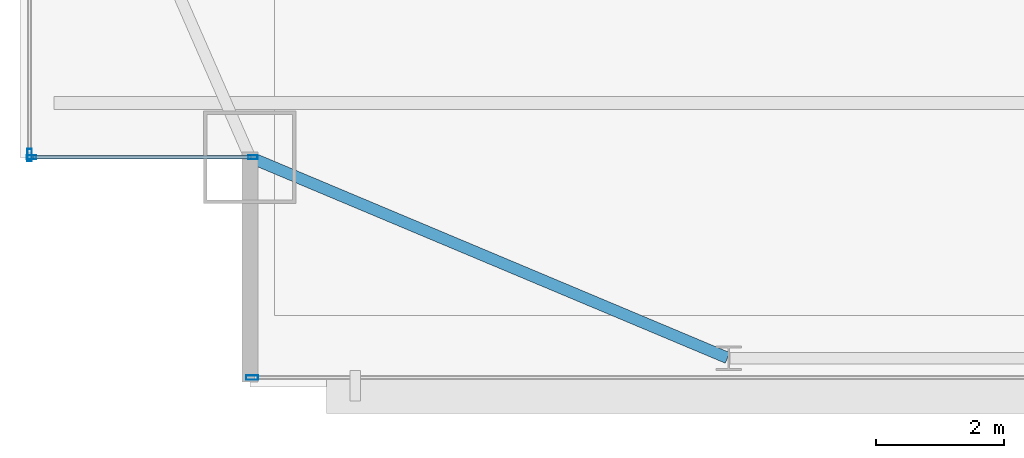
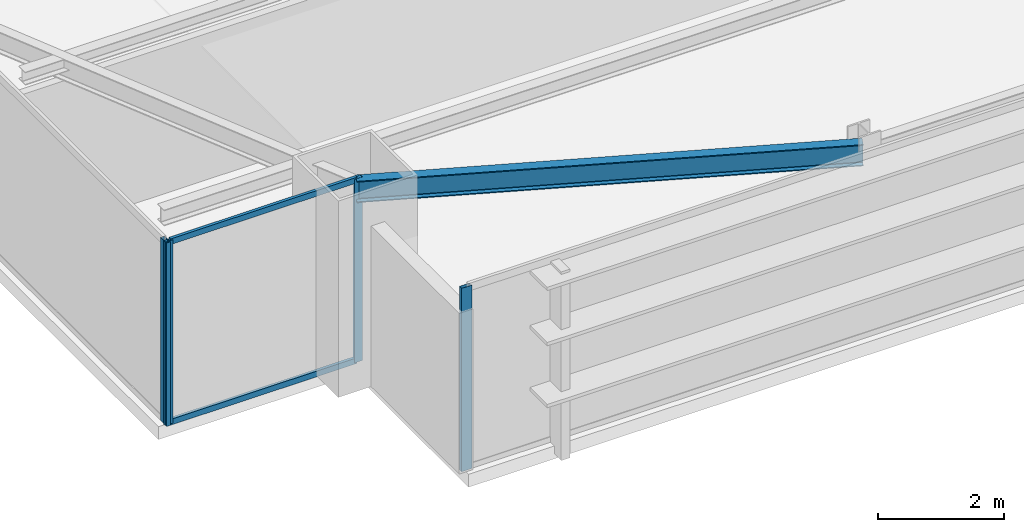
# One storey, part 4 of 30: 6 members, 1 beam, 3 elements without a shape of their own.
"""IFC4 building model written with IfcOpenShell, lengths in metres."""

import ifcopenshell
import ifcopenshell.guid

model = None  # the IFC model being written
_history = None  # IfcOwnerHistory: only IFC2X3 demands one
_inside = {}  # id of a spatial element -> (the spatial element, [elements in it])
_under = {}  # id of a project, library or spatial element -> (it, [spatial elements below it])
_declared = {}  # id of a project -> (the project, [libraries it declares])
_typed = {}  # id of a type object -> (the type object, [elements of that type])
_made_of = {}  # id of a material, layer set ... -> (it, [elements and type objects made of it])


def new_model(schema):
    """Start an empty IFC model of exactly this schema.

    Asked for "IFC4X3", IfcOpenShell would pick the latest addendum, in which some entities
    have other attributes; the version numbers below select the first issue.
    IFC2X3 requires an IfcOwnerHistory on every rooted entity: one is made here for all.
    """
    global model, _history
    if schema == "IFC4X3":
        model = ifcopenshell.file(schema_version=(4, 3, 0, 0))
    else:
        model = ifcopenshell.file(schema=schema)
    _inside.clear()
    _under.clear()
    _declared.clear()
    _typed.clear()
    _made_of.clear()
    _history = None
    if model.schema == "IFC2X3":
        org = make("IfcOrganization", Name="unknown")
        user = make(
            "IfcPersonAndOrganization",
            ThePerson=make("IfcPerson", FamilyName="unknown"),
            TheOrganization=org,
        )
        app = make(
            "IfcApplication",
            ApplicationDeveloper=org,
            Version="unknown",
            ApplicationFullName="unknown",
            ApplicationIdentifier="unknown",
        )
        _history = make(
            "IfcOwnerHistory",
            OwningUser=user,
            OwningApplication=app,
            ChangeAction="ADDED",
            CreationDate=0,
        )
    return model


def make(cls, **values):
    """One entity of the class cls with the attributes given. An attribute that is None is left unset."""
    return model.create_entity(
        cls, **{name: value for name, value in values.items() if value is not None}
    )


def rooted(cls, **values):
    """An entity with a GlobalId (a new one), such as an element, a storey or a relation."""
    return make(cls, GlobalId=ifcopenshell.guid.new(), OwnerHistory=_history, **values)


def si_unit(unit_type, name, prefix=None):
    """IfcSIUnit, for example si_unit("LENGTHUNIT", "METRE", prefix="MILLI")."""
    return make("IfcSIUnit", UnitType=unit_type, Prefix=prefix, Name=name)


def assignment(units):
    """IfcUnitAssignment: the units of a project."""
    return None if units is None else make("IfcUnitAssignment", Units=units)


def point(xyz):
    """IfcCartesianPoint."""
    return None if xyz is None else make("IfcCartesianPoint", Coordinates=xyz)


def direction(xyz):
    """IfcDirection."""
    return None if xyz is None else make("IfcDirection", DirectionRatios=xyz)


def frame(location, z_axis=None, x_axis=None):
    """IfcAxis2Placement3D, a coordinate frame: its origin and axes. An axis left out is left unset."""
    return make(
        "IfcAxis2Placement3D",
        Location=point(location),
        Axis=direction(z_axis),
        RefDirection=direction(x_axis),
    )


def frame_2d(location, x_axis=None):
    """IfcAxis2Placement2D, a coordinate frame in the plane: its origin and x axis."""
    return make(
        "IfcAxis2Placement2D", Location=point(location), RefDirection=direction(x_axis)
    )


def origin():
    """The frame at (0, 0, 0) with its axes left unset."""
    return frame((0.0, 0.0, 0.0))


def origin_2d():
    """The frame at (0, 0) in the plane with its x axis left unset."""
    return frame_2d((0.0, 0.0))


def place(relative_to, where):
    """IfcLocalPlacement: puts the frame where relative to a parent placement (None: the world)."""
    return make(
        "IfcLocalPlacement", PlacementRelTo=relative_to, RelativePlacement=where
    )


def context(
    kind, dimensions, precision=None, world=None, true_north=None, identifier=None
):
    """IfcGeometricRepresentationContext, for example the 3D "Model" context."""
    return make(
        "IfcGeometricRepresentationContext",
        ContextIdentifier=identifier,
        ContextType=kind,
        CoordinateSpaceDimension=dimensions,
        Precision=precision,
        WorldCoordinateSystem=world,
        TrueNorth=true_north,
    )


def subcontext(parent, identifier, kind, view, scale=None):
    """IfcGeometricRepresentationSubContext, for example "Body" below "Model"."""
    return make(
        "IfcGeometricRepresentationSubContext",
        ContextIdentifier=identifier,
        ContextType=kind,
        ParentContext=parent,
        TargetScale=scale,
        TargetView=view,
    )


def project(units=None, contexts=None):
    """IfcProject with its units and contexts."""
    return rooted(
        "IfcProject",
        Name="project",
        RepresentationContexts=contexts,
        UnitsInContext=assignment(units),
    )


def spatial(cls, under=None, at=None, **own):
    """A site, building, storey or space (cls), placed at a placement, below another one or the project."""
    s = rooted(cls, ObjectPlacement=at, **own)
    if under is not None:
        _under.setdefault(under.id(), (under, []))[1].append(s)
    return s


def profile(cls, at=None, kind="AREA", **sizes):
    """A parametric profile (cls). Its sizes go by their IFC names, for example OverallWidth=200.0."""
    return make(cls, ProfileType=kind, Position=at, **sizes)


def hollow_rectangle(**sizes):
    """IfcRectangleHollowProfileDef."""
    return profile("IfcRectangleHollowProfileDef", **sizes)


def i_section(**sizes):
    """IfcIShapeProfileDef."""
    return profile("IfcIShapeProfileDef", **sizes)


def extrude(swept, where, along, depth):
    """IfcExtrudedAreaSolid: the profile swept, set in the frame where, extruded along a direction by depth."""
    return make(
        "IfcExtrudedAreaSolid",
        SweptArea=swept,
        Position=where,
        ExtrudedDirection=direction(along),
        Depth=depth,
    )


def shape(context_of_items, identifier, shape_type, items):
    """IfcShapeRepresentation: the items that make up one representation, for example the "Body"."""
    return make(
        "IfcShapeRepresentation",
        ContextOfItems=context_of_items,
        RepresentationIdentifier=identifier,
        RepresentationType=shape_type,
        Items=items,
    )


def source(mapping_origin, context_of_items, identifier, shape_type, items):
    """IfcRepresentationMap: a shape defined once, which mapped items show again and again."""
    return make(
        "IfcRepresentationMap",
        MappingOrigin=mapping_origin,
        MappedRepresentation=shape(context_of_items, identifier, shape_type, items),
    )


def transform(
    local_origin,
    x_axis=None,
    y_axis=None,
    z_axis=None,
    scale=None,
    scale2=None,
    scale3=None,
    uniform=True,
):
    """IfcCartesianTransformationOperator3D, or its non-uniform kind. x_axis, y_axis, z_axis: its Axis1, 2, 3."""
    if uniform:
        return make(
            "IfcCartesianTransformationOperator3D",
            Axis1=direction(x_axis),
            Axis2=direction(y_axis),
            LocalOrigin=point(local_origin),
            Scale=scale,
            Axis3=direction(z_axis),
        )
    return make(
        "IfcCartesianTransformationOperator3DnonUniform",
        Axis1=direction(x_axis),
        Axis2=direction(y_axis),
        LocalOrigin=point(local_origin),
        Scale=scale,
        Axis3=direction(z_axis),
        Scale2=scale2,
        Scale3=scale3,
    )


def mapped(mapping_source, mapping_target):
    """IfcMappedItem: shows the shape of a source again, moved by a transform."""
    return make(
        "IfcMappedItem", MappingSource=mapping_source, MappingTarget=mapping_target
    )


def material(Name=None, Category=None):
    """IfcMaterial."""
    return make("IfcMaterial", Name=Name, Category=Category)


def layer(
    of_material, thickness, ventilated=None, Name=None, Category=None, Priority=None
):
    """IfcMaterialLayer: one layer of a wall or slab, of a material (None: an air gap)."""
    return make(
        "IfcMaterialLayer",
        Material=of_material,
        LayerThickness=thickness,
        IsVentilated=ventilated,
        Name=Name,
        Category=Category,
        Priority=Priority,
    )


def layer_set(layers, Name=None):
    """IfcMaterialLayerSet."""
    return make("IfcMaterialLayerSet", MaterialLayers=layers, LayerSetName=Name)


def material_profile(
    of_material, cross_section, Name=None, Category=None, Priority=None
):
    """IfcMaterialProfile: a cross section and its material."""
    return make(
        "IfcMaterialProfile",
        Name=Name,
        Material=of_material,
        Profile=cross_section,
        Priority=Priority,
        Category=Category,
    )


def profile_set(profiles, Name=None, composite=None):
    """IfcMaterialProfileSet."""
    return make(
        "IfcMaterialProfileSet",
        Name=Name,
        MaterialProfiles=profiles,
        CompositeProfile=composite,
    )


def made_of(thing, what):
    """Note that an element or type object is made of a material, layer set ...; save() writes the relation."""
    if what is not None:
        _made_of.setdefault(what.id(), (what, []))[1].append(thing)
    return thing


def type_object(cls, material=None, **own):
    """A type object (cls), such as IfcWallType, which elements share."""
    return made_of(rooted(cls, **own), material)


def type_shapes(of_type, sources):
    """Give a type object the sources (RepresentationMaps) that its elements show as mapped items."""
    of_type.RepresentationMaps = sources


def element(
    cls,
    number,
    at=None,
    inside=None,
    cuts=None,
    type_object=None,
    material=None,
    context=None,
    identifier="Body",
    shape_type=None,
    held_by="IfcProductDefinitionShape",
    body=None,
    shapes=None,
    **own,
):
    """One element of the class cls, such as IfcWall. Its Tag is "e" and its number.

    at: its placement. inside: the storey or other place that contains it. cuts: it is an
    opening in that element (IfcRelVoidsElement). A single representation is given by context,
    identifier, shape_type and body (its items); several are given by shapes. held_by: the class
    of the entity that holds the representations. save() writes the other relations.
    """
    e = rooted(cls, Tag="e%d" % number, ObjectPlacement=at, **own)
    if body is not None:
        shapes = [shape(context, identifier, shape_type, body)]
    if shapes is not None:
        e.Representation = make(held_by, Representations=shapes)
    if inside is not None:
        _inside.setdefault(inside.id(), (inside, []))[1].append(e)
    if cuts is not None:
        rooted(
            "IfcRelVoidsElement", RelatingBuildingElement=cuts, RelatedOpeningElement=e
        )
    if type_object is not None:
        _typed.setdefault(type_object.id(), (type_object, []))[1].append(e)
    return made_of(e, material)


def aggregate(whole, parts):
    """IfcRelAggregates: a whole, such as a stair, and the parts it consists of."""
    return rooted("IfcRelAggregates", RelatingObject=whole, RelatedObjects=parts)


def save(model, path):
    """Write the relations noted so far, then the file.

    IfcRelAggregates (storeys below a building ...), IfcRelContainedInSpatialStructure (elements
    in a storey), IfcRelDefinesByType, IfcRelAssociatesMaterial and IfcRelDeclares: one each for
    every whole, place, type object, material and project.
    """
    for whole, parts in _under.values():
        aggregate(whole, parts)
    for where, things in _inside.values():
        rooted(
            "IfcRelContainedInSpatialStructure",
            RelatedElements=things,
            RelatingStructure=where,
        )
    for kind, things in _typed.values():
        rooted("IfcRelDefinesByType", RelatedObjects=things, RelatingType=kind)
    for what, things in _made_of.values():
        rooted("IfcRelAssociatesMaterial", RelatedObjects=things, RelatingMaterial=what)
    for by, libraries in _declared.values():
        rooted("IfcRelDeclares", RelatingContext=by, RelatedDefinitions=libraries)
    model.write(path)


model = new_model("IFC4")

# Units and contexts
model_context = context("Model", 3, precision=1e-05, world=origin(), true_north=direction((0.0, 1.0)))
body_context = subcontext(model_context, "Body", "Model", "MODEL_VIEW")
ifc_project = project(units=[si_unit("LENGTHUNIT", "METRE"), si_unit("AREAUNIT", "SQUARE_METRE"), si_unit("VOLUMEUNIT", "CUBIC_METRE"), si_unit("PLANEANGLEUNIT", "RADIAN"), si_unit("MASSUNIT", "GRAM", prefix="KILO")], contexts=[model_context])

# Site, building, storey
site_placement = place(None, origin())
site = spatial("IfcSite", under=ifc_project, at=site_placement, CompositionType="ELEMENT")
building_placement = place(site_placement, origin())
building = spatial("IfcBuilding", under=site, at=building_placement, Name="Varnel Quay Broadcast Tower", CompositionType="ELEMENT")
storey_placement = place(building_placement, frame((0.0, 0.0, 122.0)))
storey = spatial("IfcBuildingStorey", under=building, at=storey_placement, Name="L29", CompositionType="ELEMENT", Elevation=122.0)

# Beam
ifc_material_1 = material(Name="Structural Steel CSA G40.21 350W", Category="steel")
ifc_material_profile_1 = material_profile(ifc_material_1, i_section(OverallWidth=0.180908203125, OverallDepth=0.4169921875, WebThickness=0.010986328125, FlangeThickness=0.018310546875, FilletRadius=0.011962890625, at=origin_2d()), Name="W410X85")
ifc_profile_set_1 = profile_set([ifc_material_profile_1], Name="Structural Steel CSA G40.21 350W")
beam_type = type_object("IfcBeamType", Name="Beam_W410X85", PredefinedType="SPANDREL", material=ifc_profile_set_1)
shared_shape_1 = source(origin(), body_context, "Body", "SweptSolid", [
    extrude(i_section(OverallWidth=0.180908203125, OverallDepth=0.4169921875, WebThickness=0.010986328125, FlangeThickness=0.018310546875, FilletRadius=0.011962890625, at=origin_2d()), origin(), (0.0, 0.0, 1.0), 8.0947265625),
])
type_shapes(beam_type, [shared_shape_1])
beam_placement = place(storey_placement, frame((8.118408203125, 7.792236328125, 3.341552734375), z_axis=(0.921981890247, -0.387232997117, 0.0), x_axis=(0.387232997117, 0.921981890247, 0.0)))
element("IfcBeam", 1, at=beam_placement, inside=storey, type_object=beam_type, Name="L29 South Spandrel MC-SW-TC-S1", PredefinedType="SPANDREL", context=body_context, shape_type="MappedRepresentation", body=[
    mapped(shared_shape_1, transform((0.0, 0.0, 0.0), x_axis=(1.0, 0.0, 0.0), y_axis=(0.0, 1.0, 0.0), z_axis=(0.0, 0.0, 1.0), scale=1.0)),
])

# Curtain wall, members
ifc_material_2 = material(Name="Anodised Bronze Aluminium 6063-T6", Category="aluminium")
ifc_layer_1 = layer(ifc_material_2, 0.18994140625, Name="Anodised Bronze Aluminium 6063-T6")
ifc_layer_set_1 = layer_set([ifc_layer_1], Name="Anodised Bronze Aluminium 6063-T6")
curtain_wall_type_1 = type_object("IfcCurtainWallType", Name="CW_NotchCorner", PredefinedType="NOTDEFINED", material=ifc_layer_set_1)
curtain_wall_1_placement = place(storey_placement, origin())
curtain_wall_1 = element("IfcCurtainWall", 2, at=curtain_wall_1_placement, inside=storey, type_object=curtain_wall_type_1, Name="L29 SW Notch Curtain Wall", PredefinedType="NOTDEFINED")
ifc_material_profile_2 = material_profile(ifc_material_2, hollow_rectangle(XDim=0.054931640625, YDim=0.110107421875, WallThickness=0.0029296875, at=origin_2d()), Name="ALU55X110X3")
ifc_profile_set_2 = profile_set([ifc_material_profile_2], Name="Anodised Bronze Aluminium 6063-T6")
member_type_1 = type_object("IfcMemberType", Name="Tran_CWS-04", PredefinedType="USERDEFINED", material=ifc_profile_set_2)
shared_shape_2 = source(origin(), body_context, "Body", "SweptSolid", [
    extrude(hollow_rectangle(XDim=0.054931640625, YDim=0.110107421875, WallThickness=0.0029296875, at=origin_2d()), origin(), (0.0, 0.0, 1.0), 3.41015625),
])
type_shapes(member_type_1, [shared_shape_2])
member_1_placement = place(storey_placement, frame((4.7099609375, 7.800048828125, 0.027587890625), z_axis=(1.0, 0.0, 0.0), x_axis=(0.0, 1.0, 0.0)))
member_1 = element("IfcMember", 3, at=member_1_placement, type_object=member_type_1, Name="CWS-04 transom 1.1", ObjectType="TRANSOM", PredefinedType="USERDEFINED", context=body_context, shape_type="MappedRepresentation", body=[
    mapped(shared_shape_2, transform((0.0, 0.0, 0.0), x_axis=(1.0, 0.0, 0.0), y_axis=(0.0, 1.0, 0.0), z_axis=(0.0, 0.0, 1.0), scale=1.0)),
])
member_2_placement = place(storey_placement, frame((4.7099609375, 7.800048828125, 3.5224609375), z_axis=(1.0, 0.0, 0.0), x_axis=(0.0, 1.0, 0.0)))
member_2 = element("IfcMember", 4, at=member_2_placement, type_object=member_type_1, Name="CWS-04 transom 1.2", ObjectType="TRANSOM", PredefinedType="USERDEFINED", context=body_context, shape_type="MappedRepresentation", body=[
    mapped(shared_shape_2, transform((0.0, 0.0, 0.0), x_axis=(1.0, 0.0, 0.0), y_axis=(0.0, 1.0, 0.0), z_axis=(0.0, 0.0, 1.0), scale=1.0)),
])

# Curtain wall, member
ifc_layer_2 = layer(ifc_material_2, 0.18994140625, Name="Anodised Bronze Aluminium 6063-T6")
ifc_layer_set_2 = layer_set([ifc_layer_2], Name="Anodised Bronze Aluminium 6063-T6")
curtain_wall_type_2 = type_object("IfcCurtainWallType", Name="CW_LowerTower", PredefinedType="NOTDEFINED", material=ifc_layer_set_2)
curtain_wall_2_placement = place(storey_placement, origin())
curtain_wall_2 = element("IfcCurtainWall", 5, at=curtain_wall_2_placement, inside=storey, type_object=curtain_wall_type_2, Name="L29 South Unitised Curtain Wall 1", PredefinedType="NOTDEFINED")
ifc_material_profile_3 = material_profile(ifc_material_2, hollow_rectangle(XDim=0.070068359375, YDim=0.18994140625, WallThickness=0.00390625, at=origin_2d()), Name="ALU70X190X4")
ifc_profile_set_3 = profile_set([ifc_material_profile_3], Name="Anodised Bronze Aluminium 6063-T6")
member_type_2 = type_object("IfcMemberType", Name="Mull_CWS-02", PredefinedType="MULLION", material=ifc_profile_set_3)
shared_shape_3 = source(origin(), body_context, "Body", "SweptSolid", [
    extrude(hollow_rectangle(XDim=0.070068359375, YDim=0.18994140625, WallThickness=0.00390625, at=origin_2d()), origin(), (0.0, 0.0, 1.0), 3.550048828125),
])
type_shapes(member_type_2, [shared_shape_3])
member_3_placement = place(storey_placement, frame((8.135009765625, 4.35009765625, 0.0), z_axis=(0.0, 0.0, 1.0), x_axis=(0.0, 1.0, 0.0)))
member_3 = element("IfcMember", 6, at=member_3_placement, type_object=member_type_2, Name="CWS-02 mullion 1", PredefinedType="MULLION", context=body_context, shape_type="MappedRepresentation", body=[
    mapped(shared_shape_3, transform((0.0, 0.0, 0.0), x_axis=(1.0, 0.0, 0.0), y_axis=(0.0, 1.0, 0.0), z_axis=(0.0, 0.0, 1.0), scale=1.0)),
])
aggregate(curtain_wall_2, [member_3])

curtain_wall_3_placement = place(storey_placement, origin())
curtain_wall_3 = element("IfcCurtainWall", 7, at=curtain_wall_3_placement, inside=storey, type_object=curtain_wall_type_2, Name="L29 West Unitised Curtain Wall", PredefinedType="NOTDEFINED")
member_4_placement = place(storey_placement, frame((4.64990234375, 7.8349609375, 0.0), z_axis=(0.0, 0.0, 1.0), x_axis=(-1.0, 0.0, 0.0)))
member_4 = element("IfcMember", 8, at=member_4_placement, type_object=member_type_2, Name="CWS-02 mullion 1", PredefinedType="MULLION", context=body_context, shape_type="MappedRepresentation", body=[
    mapped(shared_shape_3, transform((0.0, 0.0, 0.0), x_axis=(1.0, 0.0, 0.0), y_axis=(0.0, 1.0, 0.0), z_axis=(0.0, 0.0, 1.0), scale=1.0)),
])
aggregate(curtain_wall_3, [member_4])

# Member
ifc_material_profile_4 = material_profile(ifc_material_2, hollow_rectangle(XDim=0.06005859375, YDim=0.14501953125, WallThickness=0.00341796875, at=origin_2d()), Name="ALU60X145X3.5")
ifc_profile_set_4 = profile_set([ifc_material_profile_4], Name="Anodised Bronze Aluminium 6063-T6")
member_type_3 = type_object("IfcMemberType", Name="Mull_CWS-04", PredefinedType="MULLION", material=ifc_profile_set_4)
shared_shape_4 = source(origin(), body_context, "Body", "SweptSolid", [
    extrude(hollow_rectangle(XDim=0.06005859375, YDim=0.14501953125, WallThickness=0.00341796875, at=origin_2d()), origin(), (0.0, 0.0, 1.0), 3.550048828125),
])
type_shapes(member_type_3, [shared_shape_4])
member_5_placement = place(storey_placement, frame((4.679931640625, 7.800048828125, 0.0), z_axis=(0.0, 0.0, 1.0), x_axis=(0.0, 1.0, 0.0)))
member_5 = element("IfcMember", 9, at=member_5_placement, type_object=member_type_3, Name="CWS-04 mullion 1", PredefinedType="MULLION", context=body_context, shape_type="MappedRepresentation", body=[
    mapped(shared_shape_4, transform((0.0, 0.0, 0.0), x_axis=(1.0, 0.0, 0.0), y_axis=(0.0, 1.0, 0.0), z_axis=(0.0, 0.0, 1.0), scale=1.0)),
])

member_6_placement = place(storey_placement, frame((8.14990234375, 7.800048828125, 0.0), z_axis=(0.0, 0.0, 1.0), x_axis=(0.0, 1.0, 0.0)))
member_6 = element("IfcMember", 10, at=member_6_placement, type_object=member_type_3, Name="CWS-04 mullion 2", PredefinedType="MULLION", context=body_context, shape_type="MappedRepresentation", body=[
    mapped(shared_shape_4, transform((0.0, 0.0, 0.0), x_axis=(1.0, 0.0, 0.0), y_axis=(0.0, 1.0, 0.0), z_axis=(0.0, 0.0, 1.0), scale=1.0)),
])

aggregate(curtain_wall_1, [member_5, member_6, member_1, member_2])

save(model, "model.ifc")
